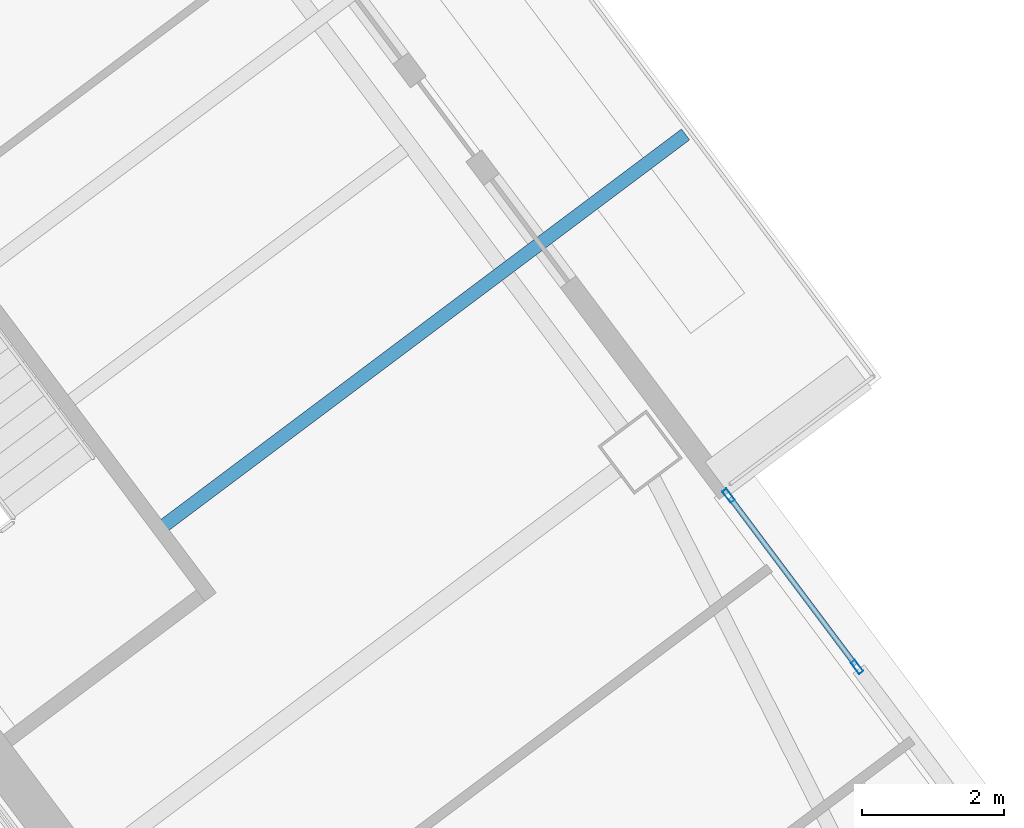
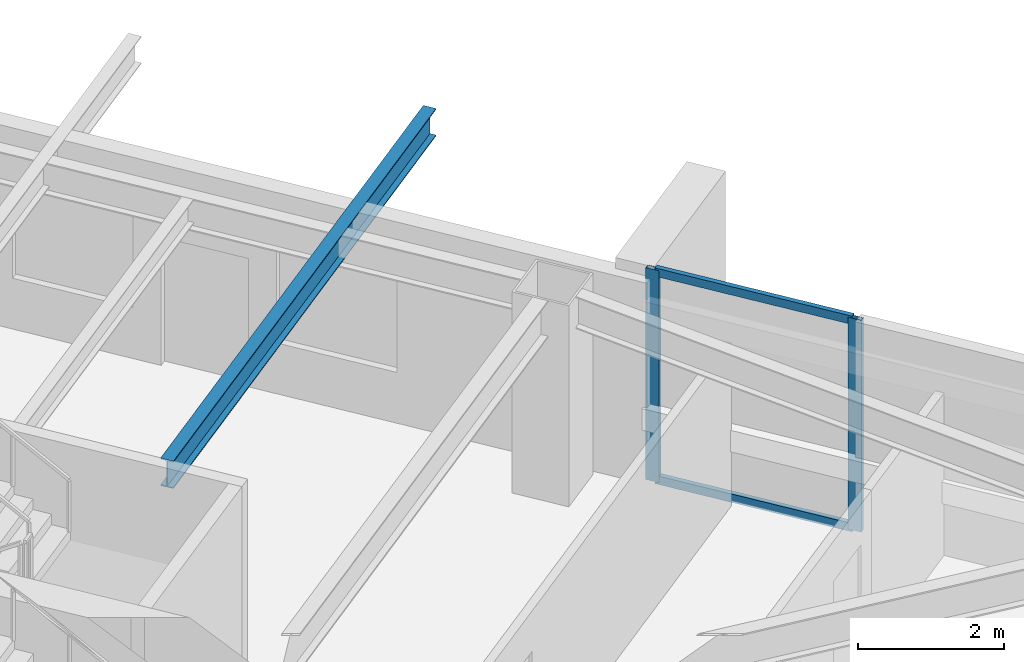
# One storey, part 25 of 44: 4 members, 1 beam, 1 element without a shape of its own.
"""IFC4 building model written with IfcOpenShell, lengths in metres."""

from ifc_helpers import new_model, si_unit, direction, frame, origin, origin_2d, place, context, subcontext, project, spatial, hollow_rectangle, i_section, extrude, material, material_profile, profile_set, type_object, element, aggregate, save


model = new_model("IFC4")

# Units and contexts
model_context = context("Model", 3, precision=1e-05, world=origin(), true_north=direction((0.0, 1.0)))
body_context = subcontext(model_context, "Body", "Model", "MODEL_VIEW")
ifc_project = project(units=[si_unit("LENGTHUNIT", "METRE"), si_unit("AREAUNIT", "SQUARE_METRE"), si_unit("VOLUMEUNIT", "CUBIC_METRE"), si_unit("PLANEANGLEUNIT", "RADIAN"), si_unit("MASSUNIT", "GRAM", prefix="KILO")], contexts=[model_context])

# Site, building, storey
site_placement = place(None, origin())
site = spatial("IfcSite", under=ifc_project, at=site_placement, CompositionType="ELEMENT")
building_placement = place(site_placement, origin())
building = spatial("IfcBuilding", under=site, at=building_placement, Name="Tashvorn Skyway Center", CompositionType="ELEMENT")
storey_placement = place(building_placement, frame((0.0, 0.0, 149.89990234375)))
storey = spatial("IfcBuildingStorey", under=building, at=storey_placement, Name="L40", CompositionType="ELEMENT", Elevation=149.89990234375)

# Beam
ifc_material_1 = material(Name="Steel ASTM A992 Grade 50", Category="steel")
ifc_material_profile_1 = material_profile(ifc_material_1, i_section(OverallWidth=0.19091796875, OverallDepth=0.4599609375, WebThickness=0.010009765625, FlangeThickness=0.01611328125, at=origin_2d()), Name="W18X55")
ifc_profile_set_1 = profile_set([ifc_material_profile_1], Name="Steel ASTM A992 Grade 50")
beam_type = type_object("IfcBeamType", Name="BM-JOIST-W18X55", PredefinedType="JOIST", material=ifc_profile_set_1)
beam_placement = place(storey_placement, frame((124.656005859375, 37.241943359375, 3.14013671875), z_axis=(0.799996808618, 0.600004255152, 0.0), x_axis=(-0.600004255152, 0.799996808618, 0.0)))
element("IfcBeam", 1, at=beam_placement, inside=storey, type_object=beam_type, Name="Tower 2 L41 Terrace Cantilever Outlooker 1", PredefinedType="JOIST", context=body_context, shape_type="SweptSolid", body=[
    extrude(i_section(OverallWidth=0.19091796875, OverallDepth=0.4599609375, WebThickness=0.010009765625, FlangeThickness=0.01611328125, at=origin_2d()), origin(), (0.0, 0.0, 1.0), 9.179931640625),
])

# Curtain wall, members
ifc_material_2 = material(Name="Thermally broken bronze-anodized aluminium 6063-T6", Category="aluminium")
curtain_wall_type = type_object("IfcCurtainWallType", Name="CW-CW-Z3", PredefinedType="NOTDEFINED", material=ifc_material_2)
curtain_wall_placement = place(storey_placement, origin())
curtain_wall = element("IfcCurtainWall", 2, at=curtain_wall_placement, inside=storey, type_object=curtain_wall_type, Name="Tower 2 L40 East Curtain Wall R Glazing Group 1", PredefinedType="NOTDEFINED")
ifc_material_profile_2 = material_profile(ifc_material_2, hollow_rectangle(XDim=0.074951171875, YDim=0.199951171875, WallThickness=0.00439453125, at=origin_2d()), Name="ALU-MULL-75x200")
ifc_profile_set_2 = profile_set([ifc_material_profile_2], Name="Thermally broken bronze-anodized aluminium 6063-T6")
member_type_1 = type_object("IfcMemberType", Name="CWM-CW-Z3", PredefinedType="MULLION", material=ifc_profile_set_2)
member_1_placement = place(storey_placement, frame((132.6064453125, 37.657958984375, 0.0), z_axis=(0.0, 0.0, 1.0), x_axis=(0.800003879262, 0.599994827616, 0.0)))
member_1 = element("IfcMember", 3, at=member_1_placement, type_object=member_type_1, Name="CW-Z3 mullion 1", PredefinedType="MULLION", context=body_context, shape_type="SweptSolid", body=[
    extrude(hollow_rectangle(XDim=0.074951171875, YDim=0.199951171875, WallThickness=0.00439453125, at=origin_2d()), origin(), (0.0, 0.0, 1.0), 3.550048828125),
])
member_2_placement = place(storey_placement, frame((134.41748046875, 35.243408203125, 0.0), z_axis=(0.0, 0.0, 1.0), x_axis=(0.800003879262, 0.599994827616, 0.0)))
member_2 = element("IfcMember", 4, at=member_2_placement, type_object=member_type_1, Name="CW-Z3 mullion 2", PredefinedType="MULLION", context=body_context, shape_type="SweptSolid", body=[
    extrude(hollow_rectangle(XDim=0.074951171875, YDim=0.199951171875, WallThickness=0.00439453125, at=origin_2d()), origin(), (0.0, 0.0, 1.0), 3.550048828125),
])
ifc_material_profile_3 = material_profile(ifc_material_2, hollow_rectangle(XDim=0.074951171875, YDim=0.139892578125, WallThickness=0.004150390625, at=origin_2d()), Name="ALU-TRAN-75x140")
ifc_profile_set_3 = profile_set([ifc_material_profile_3], Name="Thermally broken bronze-anodized aluminium 6063-T6")
member_type_2 = type_object("IfcMemberType", Name="CWT-CW-Z3", PredefinedType="USERDEFINED", material=ifc_profile_set_3)
member_3_placement = place(storey_placement, frame((132.62890625, 37.6279296875, 0.03759765625), z_axis=(0.600013270877, -0.79999004667, 0.0), x_axis=(0.79999004667, 0.600013270877, 0.0)))
member_3 = element("IfcMember", 5, at=member_3_placement, type_object=member_type_2, Name="CW-Z3 transom 1.1", ObjectType="TRANSOM", PredefinedType="USERDEFINED", context=body_context, shape_type="SweptSolid", body=[
    extrude(hollow_rectangle(XDim=0.074951171875, YDim=0.139892578125, WallThickness=0.004150390625, at=origin_2d()), origin(), (0.0, 0.0, 1.0), 2.943359375),
])
member_4_placement = place(storey_placement, frame((132.62890625, 37.6279296875, 3.5126953125), z_axis=(0.600013270877, -0.79999004667, 0.0), x_axis=(0.79999004667, 0.600013270877, 0.0)))
member_4 = element("IfcMember", 6, at=member_4_placement, type_object=member_type_2, Name="CW-Z3 transom 1.2", ObjectType="TRANSOM", PredefinedType="USERDEFINED", context=body_context, shape_type="SweptSolid", body=[
    extrude(hollow_rectangle(XDim=0.074951171875, YDim=0.139892578125, WallThickness=0.004150390625, at=origin_2d()), origin(), (0.0, 0.0, 1.0), 2.943359375),
])
aggregate(curtain_wall, [member_1, member_2, member_3, member_4])

save(model, "model.ifc")
